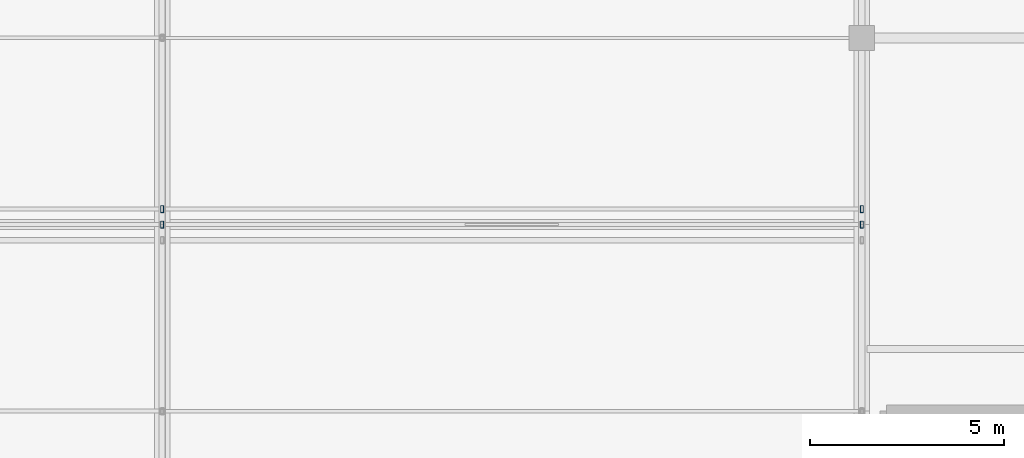
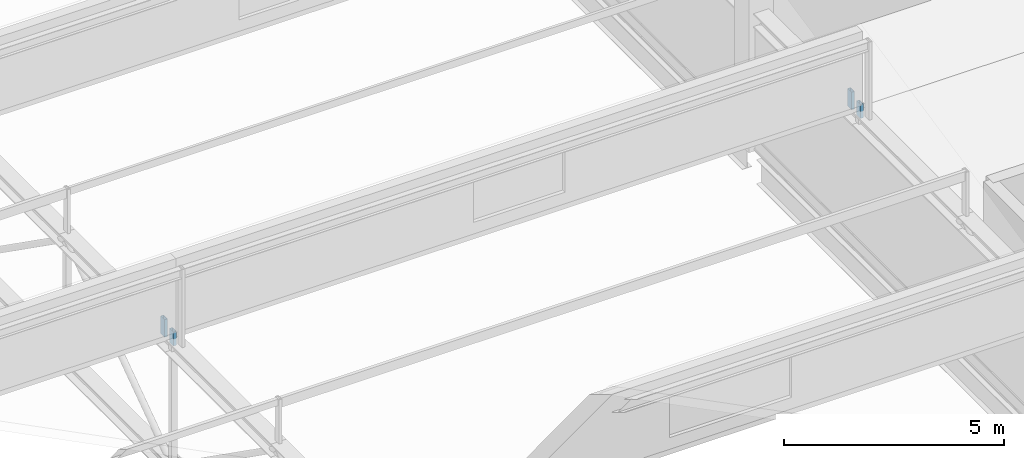
# One storey, part 89 of 136: 4 members.
"""IFC4 building model written with IfcOpenShell, lengths in metres."""

from ifc_helpers import new_model, si_unit, direction, frame, origin, origin_2d, place, context, subcontext, project, spatial, hollow_rectangle, extrude, material, material_profile, profile_set, type_object, element, save


model = new_model("IFC4")

# Units and contexts
model_context = context("Model", 3, precision=1e-05, world=origin(), true_north=direction((0.0, 1.0)))
body_context = subcontext(model_context, "Body", "Model", "MODEL_VIEW")
ifc_project = project(units=[si_unit("LENGTHUNIT", "METRE"), si_unit("AREAUNIT", "SQUARE_METRE"), si_unit("VOLUMEUNIT", "CUBIC_METRE"), si_unit("PLANEANGLEUNIT", "RADIAN"), si_unit("MASSUNIT", "GRAM", prefix="KILO")], contexts=[model_context])

# Site, building, storey
site_placement = place(None, origin())
site = spatial("IfcSite", under=ifc_project, at=site_placement, CompositionType="ELEMENT")
building_placement = place(site_placement, origin())
building = spatial("IfcBuilding", under=site, at=building_placement, Name="Kisiwana Market Hall", CompositionType="ELEMENT")
storey_placement = place(building_placement, frame((0.0, 0.0, 16.800048828125)))
storey = spatial("IfcBuildingStorey", under=building, at=storey_placement, Name="L03", CompositionType="ELEMENT", Elevation=16.800048828125)

# Members
ifc_material = material(Name="Steel S355", Category="steel")
ifc_material_profile = material_profile(ifc_material, hollow_rectangle(XDim=0.080078125, YDim=0.179931640625, WallThickness=0.00634765625, at=origin_2d()), Name="RHS 180x80x6.3")
ifc_profile_set = profile_set([ifc_material_profile], Name="Steel S355")
member_type = type_object("IfcMemberType", Name="MB-CAN-STRUT", PredefinedType="STRUT", material=ifc_profile_set)
for number, where, z_axis, x_axis, name in (
    (1, (135.0, 55.199951171875, 3.619873046875), (0.0, 0.0, 1.0), (1.0, 0.0, 0.0), "Sawtooth raker post 218 M-0268"),
    (2, (153.0, 55.199951171875, 3.619873046875), (0.0, 0.0, 1.0), (1.0, 0.0, 0.0), "Sawtooth raker post 221 M-0271"),
):
    element("IfcMember", number, at=place(storey_placement, frame(where, z_axis=z_axis, x_axis=x_axis)), inside=storey, type_object=member_type, Name=name, PredefinedType="STRUT", context=body_context, shape_type="SweptSolid", body=[
        extrude(hollow_rectangle(XDim=0.080078125, YDim=0.179931640625, WallThickness=0.00634765625, at=origin_2d()), origin(), (0.0, 0.0, 1.0), 0.385009765625),
    ])
for number, where, z_axis, x_axis, name in (
    (3, (135.0, 55.60009765625, 3.619873046875), (0.0, 0.0, 1.0), (1.0, 0.0, 0.0), "Sawtooth raker post 261 M-0290"),
    (4, (153.0, 55.60009765625, 3.619873046875), (0.0, 0.0, 1.0), (1.0, 0.0, 0.0), "Sawtooth raker post 264 M-0293"),
):
    element("IfcMember", number, at=place(storey_placement, frame(where, z_axis=z_axis, x_axis=x_axis)), inside=storey, type_object=member_type, Name=name, PredefinedType="STRUT", context=body_context, shape_type="SweptSolid", body=[
        extrude(hollow_rectangle(XDim=0.080078125, YDim=0.179931640625, WallThickness=0.00634765625, at=origin_2d()), origin(), (0.0, 0.0, 1.0), 0.485107421875),
    ])

save(model, "model.ifc")
